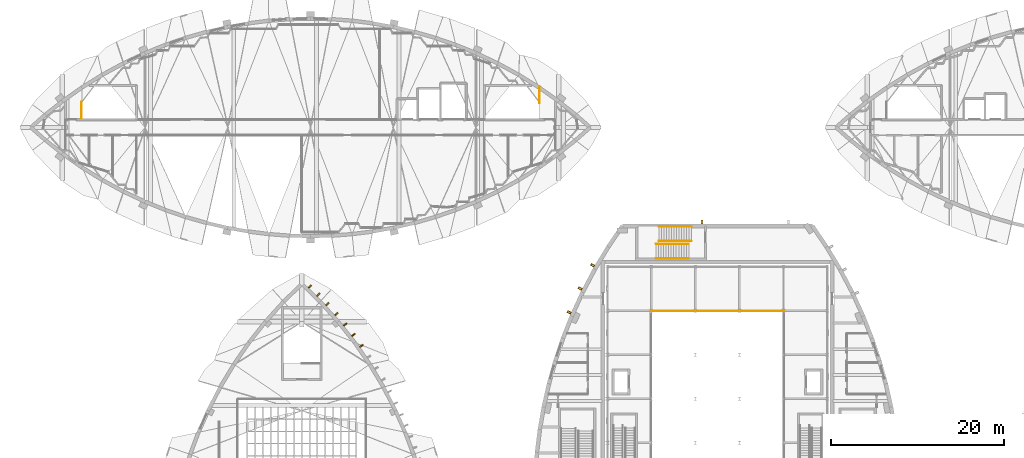
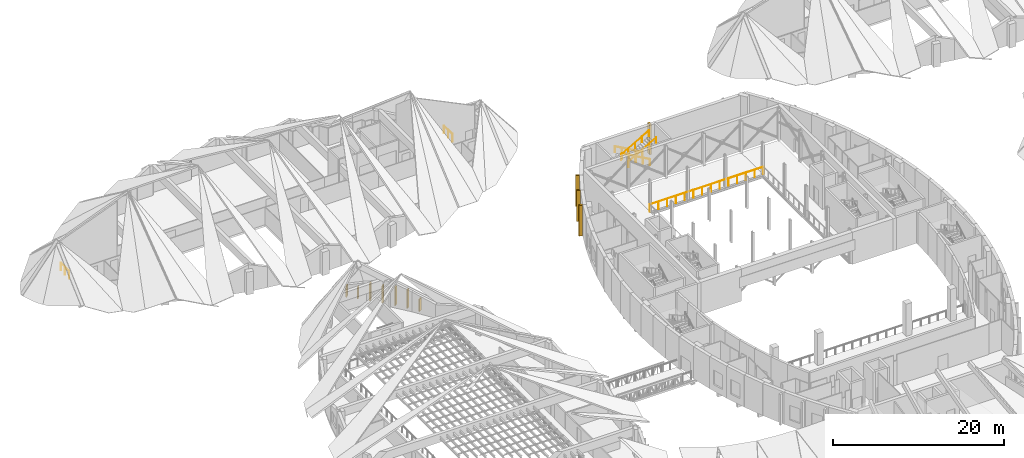
# One storey, part 54 of 56: 11 shading devices, 7 railings.
"""IFC4 building model written with IfcOpenShell, lengths in metres."""

from ifc_helpers import new_model, si_unit, direction, frame, origin, origin_2d, place, context, subcontext, project, spatial, rectangle, circle, extrude, material, layer, layer_set, type_object, element, save


model = new_model("IFC4")

# Units and contexts
model_context = context("Model", 3, precision=1e-05, world=origin(), true_north=direction((0.0, 1.0)))
body_context = subcontext(model_context, "Body", "Model", "MODEL_VIEW")
ifc_project = project(units=[si_unit("LENGTHUNIT", "METRE"), si_unit("AREAUNIT", "SQUARE_METRE"), si_unit("VOLUMEUNIT", "CUBIC_METRE"), si_unit("PLANEANGLEUNIT", "RADIAN"), si_unit("MASSUNIT", "GRAM", prefix="KILO")], contexts=[model_context])

# Site, building, storey
site_placement = place(None, origin())
site = spatial("IfcSite", under=ifc_project, at=site_placement, CompositionType="ELEMENT")
building_placement = place(site_placement, origin())
building = spatial("IfcBuilding", under=site, at=building_placement, Name="Tide Square Theatres", CompositionType="ELEMENT")
storey_placement = place(building_placement, frame((0.0, 0.0, 10.199951171875)))
storey = spatial("IfcBuildingStorey", under=building, at=storey_placement, Name="L02", CompositionType="ELEMENT", Elevation=10.199951171875)

# Shading devices
ifc_material_1 = material(Name="Concrete C40", Category="concrete")
ifc_layer = layer(ifc_material_1, 0.14990234375)
ifc_layer_set = layer_set([ifc_layer], Name="Concrete C40")
shading_device_type = type_object("IfcShadingDeviceType", Name="Concrete fin 450", PredefinedType="USERDEFINED", material=ifc_layer_set)
for number, where, z_axis, x_axis, name in (
    (1, (82.22412109375, 86.867431640625, 0.0), (0.0, 0.0, 1.0), (-1.0, 0.0, 0.0), "Concrete fin"),
    (2, (69.5849609375, 81.8896484375, 0.0), (0.0, 0.0, 1.0), (-0.515681226646, -0.856780527606, 0.0), "Concrete fin"),
    (3, (68.1494140625, 79.203369140625, 0.0), (0.0, 0.0, 1.0), (-0.466757131825, -0.884385538038, 0.0), "Concrete fin"),
    (4, (66.86669921875, 76.44091796875, 0.0), (0.0, 0.0, 1.0), (-0.416344267901, -0.90920704495, 0.0), "Concrete fin"),
):
    element("IfcShadingDevice", number, at=place(storey_placement, frame(where, z_axis=z_axis, x_axis=x_axis)), inside=storey, type_object=shading_device_type, Name=name, ObjectType="BRISE-SOLEIL FIN", PredefinedType="USERDEFINED", context=body_context, shape_type="SweptSolid", body=[
        extrude(rectangle(XDim=0.25, YDim=0.449951171875, at=origin_2d()), origin(), (0.0, 0.0, 1.0), 4.39990234375),
    ])
shading_device_placement = place(storey_placement, frame((42.882080078125, 72.572021484375, 0.0), z_axis=(0.0, 0.0, 1.0), x_axis=(-0.569365615032, 0.822084421711, 0.0)))
element("IfcShadingDevice", 5, at=shading_device_placement, inside=storey, type_object=shading_device_type, Name="Concrete fin", ObjectType="BRISE-SOLEIL FIN", PredefinedType="USERDEFINED", context=body_context, shape_type="SweptSolid", body=[
    extrude(rectangle(XDim=0.14990234375, YDim=0.449951171875, at=origin_2d()), origin(), (0.0, 0.0, 1.0), 1.767578125),
])
for number, where, z_axis, x_axis, name in (
    (6, (41.9482421875, 73.83203125, 0.0), (0.0, 0.0, 1.0), (-0.620969949886, 0.783834371113, 0.0), "Concrete fin"),
    (7, (40.998779296875, 75.030517578125, 0.0), (0.0, 0.0, 1.0), (-0.620969949886, 0.783834371113, 0.0), "Concrete fin"),
):
    element("IfcShadingDevice", number, at=place(storey_placement, frame(where, z_axis=z_axis, x_axis=x_axis)), inside=storey, type_object=shading_device_type, Name=name, ObjectType="BRISE-SOLEIL FIN", PredefinedType="USERDEFINED", context=body_context, shape_type="SweptSolid", body=[
        extrude(rectangle(XDim=0.14990234375, YDim=0.449951171875, at=origin_2d()), origin(), (0.0, 0.0, 1.0), 2.644287109375),
    ])
for number, where, z_axis, x_axis, name in (
    (8, (39.978515625, 76.23583984375, 0.0), (0.0, 0.0, 1.0), (-0.670361866799, 0.74203434391, 0.0), "Concrete fin"),
    (9, (38.938720703125, 77.386474609375, 0.0), (0.0, 0.0, 1.0), (-0.670361866799, 0.74203434391, 0.0), "Concrete fin"),
):
    element("IfcShadingDevice", number, at=place(storey_placement, frame(where, z_axis=z_axis, x_axis=x_axis)), inside=storey, type_object=shading_device_type, Name=name, ObjectType="BRISE-SOLEIL FIN", PredefinedType="USERDEFINED", context=body_context, shape_type="SweptSolid", body=[
        extrude(rectangle(XDim=0.14990234375, YDim=0.449951171875, at=origin_2d()), origin(), (0.0, 0.0, 1.0), 2.449951171875),
    ])
for number, where, z_axis, x_axis, name in (
    (10, (37.90185546875, 78.466064453125, 0.0), (0.0, 0.0, 1.0), (-0.717263382773, 0.696802152503, 0.0), "Concrete fin"),
    (11, (36.92431640625, 79.415771484375, 0.0), (0.0, 0.0, 1.0), (-0.717263382773, 0.696802152503, 0.0), "Concrete fin"),
):
    element("IfcShadingDevice", number, at=place(storey_placement, frame(where, z_axis=z_axis, x_axis=x_axis)), inside=storey, type_object=shading_device_type, Name=name, ObjectType="BRISE-SOLEIL FIN", PredefinedType="USERDEFINED", context=body_context, shape_type="SweptSolid", body=[
        extrude(rectangle(XDim=0.14990234375, YDim=0.449951171875, at=origin_2d()), origin(), (0.0, 0.0, 1.0), 1.602783203125),
    ])

# Railings
ifc_material_2 = material(Name="Painted steel", Category="steel")
railing_type_1 = type_object("IfcRailingType", Name="Steel guard 1100", PredefinedType="GUARDRAIL", material=ifc_material_2)
railing_1_placement = place(storey_placement, frame((76.3056640625, 76.574462890625, 0.0)))
element("IfcRailing", 12, at=railing_1_placement, inside=storey, type_object=railing_type_1, Name="Fly gallery 02 rear guard", PredefinedType="GUARDRAIL", context=body_context, shape_type="SweptSolid", body=[
    extrude(circle(Radius=0.02490234375, at=origin_2d()), frame((0.0, 0.0, 1.0751953125), z_axis=(1.0, 0.0, 0.0), x_axis=(0.0, 1.0, 0.0)), (0.0, 0.0, 1.0), 15.388671875),
    extrude(circle(Radius=0.02001953125, at=origin_2d()), origin(), (0.0, 0.0, 1.0), 1.050048828125),
    extrude(circle(Radius=0.02001953125, at=origin_2d()), frame((1.183837890625, 0.0, 0.0)), (0.0, 0.0, 1.0), 1.050048828125),
    extrude(circle(Radius=0.02001953125, at=origin_2d()), frame((2.367431640625, 0.0, 0.0)), (0.0, 0.0, 1.0), 1.050048828125),
    extrude(circle(Radius=0.02001953125, at=origin_2d()), frame((3.55126953125, 0.0, 0.0)), (0.0, 0.0, 1.0), 1.050048828125),
    extrude(circle(Radius=0.02001953125, at=origin_2d()), frame((4.73486328125, 0.0, 0.0)), (0.0, 0.0, 1.0), 1.050048828125),
    extrude(circle(Radius=0.02001953125, at=origin_2d()), frame((5.918701171875, 0.0, 0.0)), (0.0, 0.0, 1.0), 1.050048828125),
    extrude(circle(Radius=0.02001953125, at=origin_2d()), frame((7.1025390625, 0.0, 0.0)), (0.0, 0.0, 1.0), 1.050048828125),
    extrude(circle(Radius=0.02001953125, at=origin_2d()), frame((8.2861328125, 0.0, 0.0)), (0.0, 0.0, 1.0), 1.050048828125),
    extrude(circle(Radius=0.02001953125, at=origin_2d()), frame((9.469970703125, 0.0, 0.0)), (0.0, 0.0, 1.0), 1.050048828125),
    extrude(circle(Radius=0.02001953125, at=origin_2d()), frame((10.65380859375, 0.0, 0.0)), (0.0, 0.0, 1.0), 1.050048828125),
    extrude(circle(Radius=0.02001953125, at=origin_2d()), frame((11.83740234375, 0.0, 0.0)), (0.0, 0.0, 1.0), 1.050048828125),
    extrude(circle(Radius=0.02001953125, at=origin_2d()), frame((13.021240234375, 0.0, 0.0)), (0.0, 0.0, 1.0), 1.050048828125),
    extrude(circle(Radius=0.02001953125, at=origin_2d()), frame((14.204833984375, 0.0, 0.0)), (0.0, 0.0, 1.0), 1.050048828125),
    extrude(circle(Radius=0.02001953125, at=origin_2d()), frame((15.388671875, 0.0, 0.0)), (0.0, 0.0, 1.0), 1.050048828125),
])
railing_2_placement = place(storey_placement, frame((10.550048828125, 98.800048828125, 0.0)))
element("IfcRailing", 13, at=railing_2_placement, inside=storey, type_object=railing_type_1, Name="L02 WST-1 top well guard 1", PredefinedType="GUARDRAIL", context=body_context, shape_type="SweptSolid", body=[
    extrude(circle(Radius=0.02392578125, at=origin_2d()), frame((0.0, 0.0, 1.076171875), z_axis=(0.0, 1.0, 0.0), x_axis=(-1.0, 0.0, 0.0)), (0.0, 0.0, 1.0), 1.949951171875),
    extrude(circle(Radius=0.02099609375, at=origin_2d()), origin(), (0.0, 0.0, 1.0), 1.052001953125),
    extrude(circle(Radius=0.02099609375, at=origin_2d()), frame((0.0, 0.97509765625, 0.0)), (0.0, 0.0, 1.0), 1.052001953125),
    extrude(circle(Radius=0.02099609375, at=origin_2d()), frame((0.0, 1.949951171875, 0.0)), (0.0, 0.0, 1.0), 1.052001953125),
])
railing_3_placement = place(storey_placement, frame((63.449951171875, 102.550048828125, 0.0)))
element("IfcRailing", 14, at=railing_3_placement, inside=storey, type_object=railing_type_1, Name="L02 WST-2 top well guard 1", PredefinedType="GUARDRAIL", context=body_context, shape_type="SweptSolid", body=[
    extrude(circle(Radius=0.02392578125, at=origin_2d()), frame((0.0, 0.0, 1.076171875), z_axis=(0.0, -1.0, 0.0), x_axis=(1.0, 0.0, 0.0)), (0.0, 0.0, 1.0), 1.949951171875),
    extrude(circle(Radius=0.02099609375, at=origin_2d()), origin(), (0.0, 0.0, 1.0), 1.052001953125),
    extrude(circle(Radius=0.02099609375, at=origin_2d()), frame((0.0, -0.97509765625, 0.0)), (0.0, 0.0, 1.0), 1.052001953125),
    extrude(circle(Radius=0.02099609375, at=origin_2d()), frame((0.0, -1.949951171875, 0.0)), (0.0, 0.0, 1.0), 1.052001953125),
])
ifc_material_3 = material(Name="Painted steel", Category="steel")
railing_type_2 = type_object("IfcRailingType", Name="Steel handrail 850", PredefinedType="HANDRAIL", material=ifc_material_3)
for number, where, name in (
    (15, (81.0, 86.340087890625, 0.164306640625), "Stair handrail 5"),
    (16, (81.0, 84.659912109375, 0.164306640625), "Stair handrail 5"),
):
    element("IfcRailing", number, at=place(storey_placement, frame(where)), inside=storey, type_object=railing_type_2, Name=name, PredefinedType="HANDRAIL", context=body_context, shape_type="SweptSolid", body=[
        extrude(circle(Radius=0.02490234375, at=origin_2d()), frame((0.0, 0.0, 0.8251953125), z_axis=(-0.870081794457, 0.0, 0.492907365491), x_axis=(0.0, -1.0, 0.0)), (0.0, 0.0, 1.0), 4.3330078125),
        extrude(circle(Radius=0.02001953125, at=origin_2d()), origin(), (0.0, 0.0, 1.0), 0.800048828125),
        extrude(circle(Radius=0.02001953125, at=origin_2d()), frame((-0.9423828125, 0.0, 0.533935546875)), (0.0, 0.0, 1.0), 0.800048828125),
        extrude(circle(Radius=0.02001953125, at=origin_2d()), frame((-1.885009765625, 0.0, 1.06787109375)), (0.0, 0.0, 1.0), 0.800048828125),
        extrude(circle(Radius=0.02001953125, at=origin_2d()), frame((-2.82763671875, 0.0, 1.601806640625)), (0.0, 0.0, 1.0), 0.800048828125),
        extrude(circle(Radius=0.02001953125, at=origin_2d()), frame((-3.77001953125, 0.0, 2.1357421875)), (0.0, 0.0, 1.0), 0.800048828125),
    ])
for number, where, name in (
    (17, (76.92578125, 84.340087890625, 2.46435546875), "Stair handrail 5"),
    (18, (76.92578125, 82.659912109375, 2.46435546875), "Stair handrail 5"),
):
    element("IfcRailing", number, at=place(storey_placement, frame(where)), inside=storey, type_object=railing_type_2, Name=name, PredefinedType="HANDRAIL", context=body_context, shape_type="SweptSolid", body=[
        extrude(circle(Radius=0.02490234375, at=origin_2d()), frame((0.0, 0.0, 0.8251953125), z_axis=(0.870081794457, 0.0, 0.492907365491), x_axis=(0.0, 1.0, 0.0)), (0.0, 0.0, 1.0), 4.3330078125),
        extrude(circle(Radius=0.02001953125, at=origin_2d()), origin(), (0.0, 0.0, 1.0), 0.800048828125),
        extrude(circle(Radius=0.02001953125, at=origin_2d()), frame((0.9423828125, 0.0, 0.533935546875)), (0.0, 0.0, 1.0), 0.800048828125),
        extrude(circle(Radius=0.02001953125, at=origin_2d()), frame((1.885009765625, 0.0, 1.06787109375)), (0.0, 0.0, 1.0), 0.800048828125),
        extrude(circle(Radius=0.02001953125, at=origin_2d()), frame((2.82763671875, 0.0, 1.601806640625)), (0.0, 0.0, 1.0), 0.800048828125),
        extrude(circle(Radius=0.02001953125, at=origin_2d()), frame((3.77001953125, 0.0, 2.1357421875)), (0.0, 0.0, 1.0), 0.800048828125),
    ])

save(model, "model.ifc")
